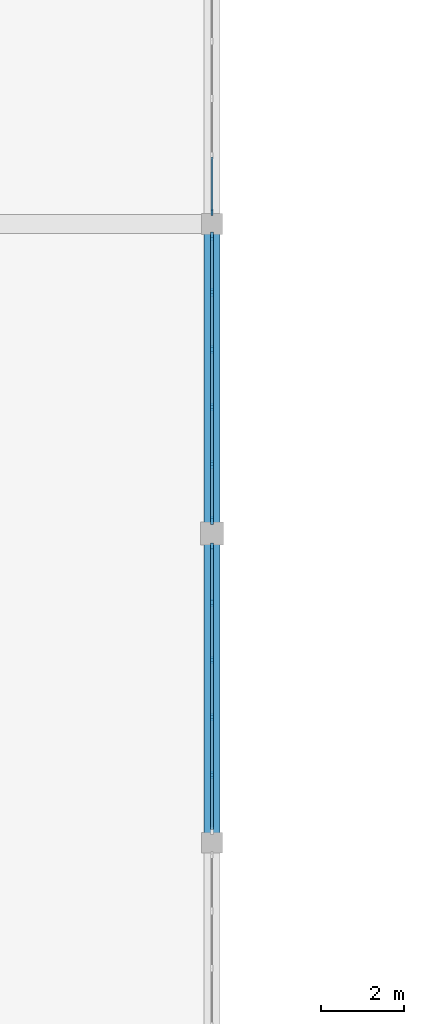
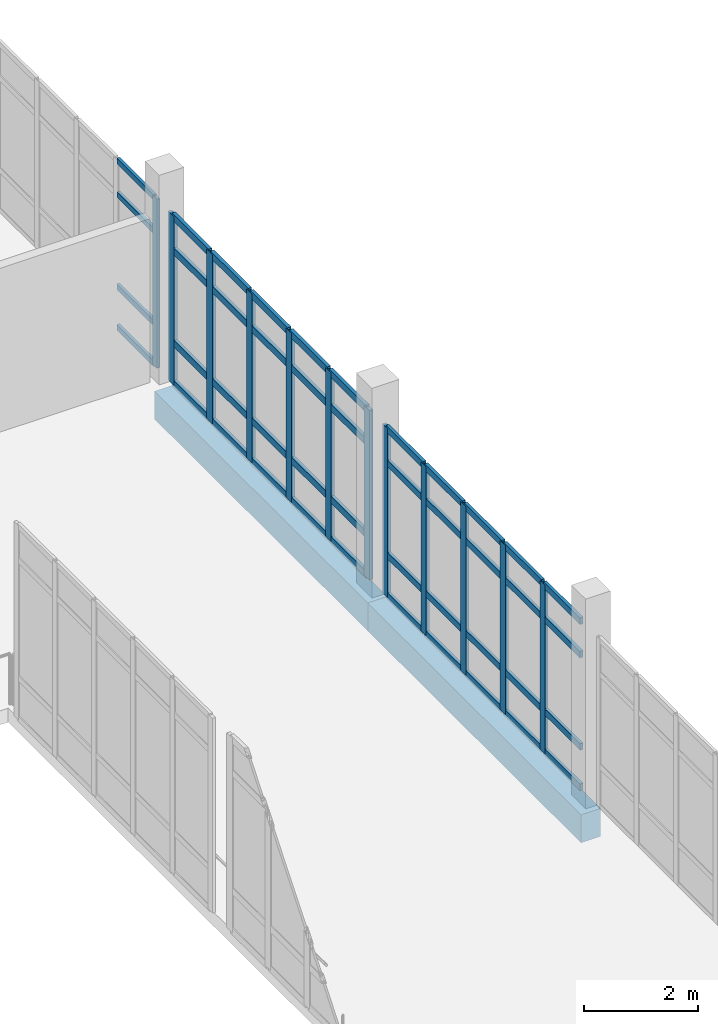
# One storey, part 42 of 128: 56 members, 2 beams, 3 elements without a shape of their own.
"""IFC4 building model written with IfcOpenShell, lengths in metres."""

from ifc_helpers import new_model, si_unit, direction, frame, origin, origin_2d, place, context, subcontext, project, spatial, rectangle, extrude, material, layer, layer_set, material_profile, profile_set, type_object, element, aggregate, save


model = new_model("IFC4")

# Units and contexts
model_context = context("Model", 3, precision=1e-05, world=origin(), true_north=direction((0.0, 1.0)))
body_context = subcontext(model_context, "Body", "Model", "MODEL_VIEW")
ifc_project = project(units=[si_unit("LENGTHUNIT", "METRE"), si_unit("AREAUNIT", "SQUARE_METRE"), si_unit("VOLUMEUNIT", "CUBIC_METRE"), si_unit("PLANEANGLEUNIT", "RADIAN"), si_unit("MASSUNIT", "GRAM", prefix="KILO")], contexts=[model_context])

# Site, building, storey
site_placement = place(None, origin())
site = spatial("IfcSite", under=ifc_project, at=site_placement, CompositionType="ELEMENT")
building_placement = place(site_placement, origin())
building = spatial("IfcBuilding", under=site, at=building_placement, Name="Dalvernix Boulevard General Hospital", CompositionType="ELEMENT")
storey_placement = place(building_placement, frame((0.0, 0.0, 4.800048828125)))
storey = spatial("IfcBuildingStorey", under=building, at=storey_placement, Name="L01", CompositionType="ELEMENT", Elevation=4.800048828125)

# Beams
ifc_material_1 = material(Name="Concrete C35/45", Category="concrete")
ifc_material_profile_1 = material_profile(ifc_material_1, rectangle(XDim=0.39990234375, YDim=0.60009765625, at=origin_2d()), Name="RCB 400x600")
ifc_profile_set_1 = profile_set([ifc_material_profile_1], Name="Concrete C35/45")
beam_type = type_object("IfcBeamType", Name="BM-SB-02-E", PredefinedType="SPANDREL", material=ifc_profile_set_1)
for number, where, z_axis, x_axis, name in (
    (1, (112.5, 46.5, -0.60009765625), (0.0, 1.0, 0.0), (-1.0, 0.0, 0.0), "L01 N-S girder 16:G-H"),
    (2, (112.5, 54.0, -0.60009765625), (0.0, 1.0, 0.0), (-1.0, 0.0, 0.0), "L01 N-S girder 16:H-J"),
):
    element("IfcBeam", number, at=place(storey_placement, frame(where, z_axis=z_axis, x_axis=x_axis)), inside=storey, type_object=beam_type, Name=name, PredefinedType="SPANDREL", context=body_context, shape_type="SweptSolid", body=[
        extrude(rectangle(XDim=0.39990234375, YDim=0.60009765625, at=origin_2d()), origin(), (0.0, 0.0, 1.0), 7.5),
    ])

# Curtain wall, member
ifc_material_2 = material(Name="Thermally broken aluminium and solar-control glass curtain wall", Category="aluminium")
ifc_layer_1 = layer(ifc_material_2, 0.159912109375)
ifc_layer_set_1 = layer_set([ifc_layer_1], Name="Thermally broken aluminium and solar-control glass curtain wall (CW-CW-A-70x36)")
curtain_wall_type_1 = type_object("IfcCurtainWallType", Name="CW-CW-A-70x36", PredefinedType="USERDEFINED", material=ifc_layer_set_1)
curtain_wall_1_placement = place(storey_placement, origin())
curtain_wall_1 = element("IfcCurtainWall", 3, at=curtain_wall_1_placement, inside=storey, type_object=curtain_wall_type_1, Name="L01 curtain wall CW-A-70x36 15-8", ObjectType="GLAZED FACADE", PredefinedType="USERDEFINED")
ifc_material_3 = material(Name="Aluminium EN AW-6060", Category="aluminium")
ifc_material_profile_2 = material_profile(ifc_material_3, rectangle(XDim=0.06005859375, YDim=0.159912109375, at=origin_2d()), Name="ALU MULL 60x160")
ifc_profile_set_2 = profile_set([ifc_material_profile_2], Name="Aluminium EN AW-6060")
member_type_1 = type_object("IfcMemberType", Name="MEM-CW-M1", PredefinedType="MULLION", material=ifc_profile_set_2)
member_1_placement = place(storey_placement, frame((112.5, 61.7900390625, 0.0), z_axis=(0.0, 0.0, 1.0), x_axis=(1.0, 0.0, 0.0)))
member_1 = element("IfcMember", 4, at=member_1_placement, type_object=member_type_1, Name="CW-A-70x36 mullion 6", PredefinedType="MULLION", context=body_context, shape_type="SweptSolid", body=[
    extrude(rectangle(XDim=0.06005859375, YDim=0.159912109375, at=origin_2d()), origin(), (0.0, 0.0, 1.0), 3.6298828125),
])

# Curtain wall, members
ifc_layer_2 = layer(ifc_material_2, 0.179931640625)
ifc_layer_set_2 = layer_set([ifc_layer_2], Name="Thermally broken aluminium and solar-control glass curtain wall (CW-CW-B-70x36)")
curtain_wall_type_2 = type_object("IfcCurtainWallType", Name="CW-CW-B-70x36", PredefinedType="USERDEFINED", material=ifc_layer_set_2)
curtain_wall_2_placement = place(storey_placement, origin())
curtain_wall_2 = element("IfcCurtainWall", 5, at=curtain_wall_2_placement, inside=storey, type_object=curtain_wall_type_2, Name="L01 curtain wall CW-B-70x36 15-6", ObjectType="GLAZED FACADE", PredefinedType="USERDEFINED")
ifc_material_profile_3 = material_profile(ifc_material_3, rectangle(XDim=0.06494140625, YDim=0.179931640625, at=origin_2d()), Name="ALU MULL 65x180")
ifc_profile_set_3 = profile_set([ifc_material_profile_3], Name="Aluminium EN AW-6060")
member_type_2 = type_object("IfcMemberType", Name="MEM-CW-M2", PredefinedType="MULLION", material=ifc_profile_set_3)
member_2_placement = place(storey_placement, frame((112.5, 53.6826171875, 0.0), z_axis=(0.0, 0.0, 1.0), x_axis=(1.0, 0.0, 0.0)))
member_2 = element("IfcMember", 6, at=member_2_placement, type_object=member_type_2, Name="CW-B-70x36 mullion 1", PredefinedType="MULLION", context=body_context, shape_type="SweptSolid", body=[
    extrude(rectangle(XDim=0.06494140625, YDim=0.179931640625, at=origin_2d()), origin(), (0.0, 0.0, 1.0), 3.6298828125),
])
member_3_placement = place(storey_placement, frame((112.5, 52.323974609375, 0.0), z_axis=(0.0, 0.0, 1.0), x_axis=(1.0, 0.0, 0.0)))
member_3 = element("IfcMember", 7, at=member_3_placement, type_object=member_type_2, Name="CW-B-70x36 mullion 2", PredefinedType="MULLION", context=body_context, shape_type="SweptSolid", body=[
    extrude(rectangle(XDim=0.06494140625, YDim=0.179931640625, at=origin_2d()), origin(), (0.0, 0.0, 1.0), 3.6298828125),
])
member_4_placement = place(storey_placement, frame((112.5, 50.93310546875, 0.0), z_axis=(0.0, 0.0, 1.0), x_axis=(1.0, 0.0, 0.0)))
member_4 = element("IfcMember", 8, at=member_4_placement, type_object=member_type_2, Name="CW-B-70x36 mullion 3", PredefinedType="MULLION", context=body_context, shape_type="SweptSolid", body=[
    extrude(rectangle(XDim=0.06494140625, YDim=0.179931640625, at=origin_2d()), origin(), (0.0, 0.0, 1.0), 3.6298828125),
])
member_5_placement = place(storey_placement, frame((112.5, 49.5419921875, 0.0), z_axis=(0.0, 0.0, 1.0), x_axis=(1.0, 0.0, 0.0)))
member_5 = element("IfcMember", 9, at=member_5_placement, type_object=member_type_2, Name="CW-B-70x36 mullion 4", PredefinedType="MULLION", context=body_context, shape_type="SweptSolid", body=[
    extrude(rectangle(XDim=0.06494140625, YDim=0.179931640625, at=origin_2d()), origin(), (0.0, 0.0, 1.0), 3.6298828125),
])
member_6_placement = place(storey_placement, frame((112.5, 48.15087890625, 0.0), z_axis=(0.0, 0.0, 1.0), x_axis=(1.0, 0.0, 0.0)))
member_6 = element("IfcMember", 10, at=member_6_placement, type_object=member_type_2, Name="CW-B-70x36 mullion 5", PredefinedType="MULLION", context=body_context, shape_type="SweptSolid", body=[
    extrude(rectangle(XDim=0.06494140625, YDim=0.179931640625, at=origin_2d()), origin(), (0.0, 0.0, 1.0), 3.6298828125),
])

ifc_layer_3 = layer(ifc_material_2, 0.199951171875)
ifc_layer_set_3 = layer_set([ifc_layer_3], Name="Thermally broken aluminium and solar-control glass curtain wall (CW-CW-C-70x36)")
curtain_wall_type_3 = type_object("IfcCurtainWallType", Name="CW-CW-C-70x36", PredefinedType="USERDEFINED", material=ifc_layer_set_3)
curtain_wall_3_placement = place(storey_placement, origin())
curtain_wall_3 = element("IfcCurtainWall", 11, at=curtain_wall_3_placement, inside=storey, type_object=curtain_wall_type_3, Name="L01 curtain wall CW-C-70x36 15-7", ObjectType="GLAZED FACADE", PredefinedType="USERDEFINED")
ifc_material_profile_4 = material_profile(ifc_material_3, rectangle(XDim=0.070068359375, YDim=0.199951171875, at=origin_2d()), Name="ALU MULL 70x200")
ifc_profile_set_4 = profile_set([ifc_material_profile_4], Name="Aluminium EN AW-6060")
member_type_3 = type_object("IfcMemberType", Name="MEM-CW-M3", PredefinedType="MULLION", material=ifc_profile_set_4)
member_7_placement = place(storey_placement, frame((112.5, 61.205078125, 0.0), z_axis=(0.0, 0.0, 1.0), x_axis=(1.0, 0.0, 0.0)))
member_7 = element("IfcMember", 12, at=member_7_placement, type_object=member_type_3, Name="CW-C-70x36 mullion 1", PredefinedType="MULLION", context=body_context, shape_type="SweptSolid", body=[
    extrude(rectangle(XDim=0.070068359375, YDim=0.199951171875, at=origin_2d()), origin(), (0.0, 0.0, 1.0), 3.6298828125),
])
member_8_placement = place(storey_placement, frame((112.5, 59.84912109375, 0.0), z_axis=(0.0, 0.0, 1.0), x_axis=(1.0, 0.0, 0.0)))
member_8 = element("IfcMember", 13, at=member_8_placement, type_object=member_type_3, Name="CW-C-70x36 mullion 2", PredefinedType="MULLION", context=body_context, shape_type="SweptSolid", body=[
    extrude(rectangle(XDim=0.070068359375, YDim=0.199951171875, at=origin_2d()), origin(), (0.0, 0.0, 1.0), 3.6298828125),
])
member_9_placement = place(storey_placement, frame((112.5, 58.4580078125, 0.0), z_axis=(0.0, 0.0, 1.0), x_axis=(1.0, 0.0, 0.0)))
member_9 = element("IfcMember", 14, at=member_9_placement, type_object=member_type_3, Name="CW-C-70x36 mullion 3", PredefinedType="MULLION", context=body_context, shape_type="SweptSolid", body=[
    extrude(rectangle(XDim=0.070068359375, YDim=0.199951171875, at=origin_2d()), origin(), (0.0, 0.0, 1.0), 3.6298828125),
])
member_10_placement = place(storey_placement, frame((112.5, 57.06689453125, 0.0), z_axis=(0.0, 0.0, 1.0), x_axis=(1.0, 0.0, 0.0)))
member_10 = element("IfcMember", 15, at=member_10_placement, type_object=member_type_3, Name="CW-C-70x36 mullion 4", PredefinedType="MULLION", context=body_context, shape_type="SweptSolid", body=[
    extrude(rectangle(XDim=0.070068359375, YDim=0.199951171875, at=origin_2d()), origin(), (0.0, 0.0, 1.0), 3.6298828125),
])
member_11_placement = place(storey_placement, frame((112.5, 55.676025390625, 0.0), z_axis=(0.0, 0.0, 1.0), x_axis=(1.0, 0.0, 0.0)))
member_11 = element("IfcMember", 16, at=member_11_placement, type_object=member_type_3, Name="CW-C-70x36 mullion 5", PredefinedType="MULLION", context=body_context, shape_type="SweptSolid", body=[
    extrude(rectangle(XDim=0.070068359375, YDim=0.199951171875, at=origin_2d()), origin(), (0.0, 0.0, 1.0), 3.6298828125),
])
member_12_placement = place(storey_placement, frame((112.5, 54.320068359375, 0.0), z_axis=(0.0, 0.0, 1.0), x_axis=(1.0, 0.0, 0.0)))
member_12 = element("IfcMember", 17, at=member_12_placement, type_object=member_type_3, Name="CW-C-70x36 mullion 6", PredefinedType="MULLION", context=body_context, shape_type="SweptSolid", body=[
    extrude(rectangle(XDim=0.070068359375, YDim=0.199951171875, at=origin_2d()), origin(), (0.0, 0.0, 1.0), 3.6298828125),
])

# Member
ifc_material_profile_5 = material_profile(ifc_material_3, rectangle(XDim=0.06005859375, YDim=0.1201171875, at=origin_2d()), Name="ALU TRAN 60x120")
ifc_profile_set_5 = profile_set([ifc_material_profile_5], Name="Aluminium EN AW-6060")
member_type_4 = type_object("IfcMemberType", Name="MEM-CW-T1", PredefinedType="USERDEFINED", material=ifc_profile_set_5)
member_13_placement = place(storey_placement, frame((112.5, 63.12109375, 0.030029296875), z_axis=(0.0, -1.0, 0.0), x_axis=(1.0, 0.0, 0.0)))
member_13 = element("IfcMember", 18, at=member_13_placement, type_object=member_type_4, Name="CW-A-70x36 transom 5.1", ObjectType="TRANSOM", PredefinedType="USERDEFINED", context=body_context, shape_type="SweptSolid", body=[
    extrude(rectangle(XDim=0.06005859375, YDim=0.1201171875, at=origin_2d()), origin(), (0.0, 0.0, 1.0), 1.301025390625),
])

member_14_placement = place(storey_placement, frame((112.5, 63.12109375, 0.89990234375), z_axis=(0.0, -1.0, 0.0), x_axis=(1.0, 0.0, 0.0)))
member_14 = element("IfcMember", 19, at=member_14_placement, type_object=member_type_4, Name="CW-A-70x36 transom 5.2", ObjectType="TRANSOM", PredefinedType="USERDEFINED", context=body_context, shape_type="SweptSolid", body=[
    extrude(rectangle(XDim=0.06005859375, YDim=0.1201171875, at=origin_2d()), origin(), (0.0, 0.0, 1.0), 1.301025390625),
])

member_15_placement = place(storey_placement, frame((112.5, 63.12109375, 2.8798828125), z_axis=(0.0, -1.0, 0.0), x_axis=(1.0, 0.0, 0.0)))
member_15 = element("IfcMember", 20, at=member_15_placement, type_object=member_type_4, Name="CW-A-70x36 transom 5.3", ObjectType="TRANSOM", PredefinedType="USERDEFINED", context=body_context, shape_type="SweptSolid", body=[
    extrude(rectangle(XDim=0.06005859375, YDim=0.1201171875, at=origin_2d()), origin(), (0.0, 0.0, 1.0), 1.301025390625),
])

member_16_placement = place(storey_placement, frame((112.5, 63.12109375, 3.599853515625), z_axis=(0.0, -1.0, 0.0), x_axis=(1.0, 0.0, 0.0)))
member_16 = element("IfcMember", 21, at=member_16_placement, type_object=member_type_4, Name="CW-A-70x36 transom 5.4", ObjectType="TRANSOM", PredefinedType="USERDEFINED", context=body_context, shape_type="SweptSolid", body=[
    extrude(rectangle(XDim=0.06005859375, YDim=0.1201171875, at=origin_2d()), origin(), (0.0, 0.0, 1.0), 1.301025390625),
])

aggregate(curtain_wall_1, [member_1, member_13, member_14, member_15, member_16])

ifc_material_profile_6 = material_profile(ifc_material_3, rectangle(XDim=0.06494140625, YDim=0.139892578125, at=origin_2d()), Name="ALU TRAN 65x140")
ifc_profile_set_6 = profile_set([ifc_material_profile_6], Name="Aluminium EN AW-6060")
member_type_5 = type_object("IfcMemberType", Name="MEM-CW-T2", PredefinedType="USERDEFINED", material=ifc_profile_set_6)
member_17_placement = place(storey_placement, frame((112.5, 53.64990234375, 0.032470703125), z_axis=(0.0, -1.0, 0.0), x_axis=(1.0, 0.0, 0.0)))
member_17 = element("IfcMember", 22, at=member_17_placement, type_object=member_type_5, Name="CW-B-70x36 transom 1.1", ObjectType="TRANSOM", PredefinedType="USERDEFINED", context=body_context, shape_type="SweptSolid", body=[
    extrude(rectangle(XDim=0.06494140625, YDim=0.139892578125, at=origin_2d()), origin(), (0.0, 0.0, 1.0), 1.29345703125),
])

member_18_placement = place(storey_placement, frame((112.5, 53.64990234375, 0.89990234375), z_axis=(0.0, -1.0, 0.0), x_axis=(1.0, 0.0, 0.0)))
member_18 = element("IfcMember", 23, at=member_18_placement, type_object=member_type_5, Name="CW-B-70x36 transom 1.2", ObjectType="TRANSOM", PredefinedType="USERDEFINED", context=body_context, shape_type="SweptSolid", body=[
    extrude(rectangle(XDim=0.06494140625, YDim=0.139892578125, at=origin_2d()), origin(), (0.0, 0.0, 1.0), 1.29345703125),
])

member_19_placement = place(storey_placement, frame((112.5, 53.64990234375, 2.8798828125), z_axis=(0.0, -1.0, 0.0), x_axis=(1.0, 0.0, 0.0)))
member_19 = element("IfcMember", 24, at=member_19_placement, type_object=member_type_5, Name="CW-B-70x36 transom 1.3", ObjectType="TRANSOM", PredefinedType="USERDEFINED", context=body_context, shape_type="SweptSolid", body=[
    extrude(rectangle(XDim=0.06494140625, YDim=0.139892578125, at=origin_2d()), origin(), (0.0, 0.0, 1.0), 1.29345703125),
])

member_20_placement = place(storey_placement, frame((112.5, 53.64990234375, 3.597412109375), z_axis=(0.0, -1.0, 0.0), x_axis=(1.0, 0.0, 0.0)))
member_20 = element("IfcMember", 25, at=member_20_placement, type_object=member_type_5, Name="CW-B-70x36 transom 1.4", ObjectType="TRANSOM", PredefinedType="USERDEFINED", context=body_context, shape_type="SweptSolid", body=[
    extrude(rectangle(XDim=0.06494140625, YDim=0.139892578125, at=origin_2d()), origin(), (0.0, 0.0, 1.0), 1.29345703125),
])

member_21_placement = place(storey_placement, frame((112.5, 52.29150390625, 0.032470703125), z_axis=(0.0, -1.0, 0.0), x_axis=(1.0, 0.0, 0.0)))
member_21 = element("IfcMember", 26, at=member_21_placement, type_object=member_type_5, Name="CW-B-70x36 transom 2.1", ObjectType="TRANSOM", PredefinedType="USERDEFINED", context=body_context, shape_type="SweptSolid", body=[
    extrude(rectangle(XDim=0.06494140625, YDim=0.139892578125, at=origin_2d()), origin(), (0.0, 0.0, 1.0), 1.325927734375),
])

member_22_placement = place(storey_placement, frame((112.5, 52.29150390625, 0.89990234375), z_axis=(0.0, -1.0, 0.0), x_axis=(1.0, 0.0, 0.0)))
member_22 = element("IfcMember", 27, at=member_22_placement, type_object=member_type_5, Name="CW-B-70x36 transom 2.2", ObjectType="TRANSOM", PredefinedType="USERDEFINED", context=body_context, shape_type="SweptSolid", body=[
    extrude(rectangle(XDim=0.06494140625, YDim=0.139892578125, at=origin_2d()), origin(), (0.0, 0.0, 1.0), 1.325927734375),
])

member_23_placement = place(storey_placement, frame((112.5, 52.29150390625, 2.8798828125), z_axis=(0.0, -1.0, 0.0), x_axis=(1.0, 0.0, 0.0)))
member_23 = element("IfcMember", 28, at=member_23_placement, type_object=member_type_5, Name="CW-B-70x36 transom 2.3", ObjectType="TRANSOM", PredefinedType="USERDEFINED", context=body_context, shape_type="SweptSolid", body=[
    extrude(rectangle(XDim=0.06494140625, YDim=0.139892578125, at=origin_2d()), origin(), (0.0, 0.0, 1.0), 1.325927734375),
])

member_24_placement = place(storey_placement, frame((112.5, 52.29150390625, 3.597412109375), z_axis=(0.0, -1.0, 0.0), x_axis=(1.0, 0.0, 0.0)))
member_24 = element("IfcMember", 29, at=member_24_placement, type_object=member_type_5, Name="CW-B-70x36 transom 2.4", ObjectType="TRANSOM", PredefinedType="USERDEFINED", context=body_context, shape_type="SweptSolid", body=[
    extrude(rectangle(XDim=0.06494140625, YDim=0.139892578125, at=origin_2d()), origin(), (0.0, 0.0, 1.0), 1.325927734375),
])

member_25_placement = place(storey_placement, frame((112.5, 50.900390625, 0.032470703125), z_axis=(0.0, -1.0, 0.0), x_axis=(1.0, 0.0, 0.0)))
member_25 = element("IfcMember", 30, at=member_25_placement, type_object=member_type_5, Name="CW-B-70x36 transom 3.1", ObjectType="TRANSOM", PredefinedType="USERDEFINED", context=body_context, shape_type="SweptSolid", body=[
    extrude(rectangle(XDim=0.06494140625, YDim=0.139892578125, at=origin_2d()), origin(), (0.0, 0.0, 1.0), 1.325927734375),
])

member_26_placement = place(storey_placement, frame((112.5, 50.900390625, 0.89990234375), z_axis=(0.0, -1.0, 0.0), x_axis=(1.0, 0.0, 0.0)))
member_26 = element("IfcMember", 31, at=member_26_placement, type_object=member_type_5, Name="CW-B-70x36 transom 3.2", ObjectType="TRANSOM", PredefinedType="USERDEFINED", context=body_context, shape_type="SweptSolid", body=[
    extrude(rectangle(XDim=0.06494140625, YDim=0.139892578125, at=origin_2d()), origin(), (0.0, 0.0, 1.0), 1.325927734375),
])

member_27_placement = place(storey_placement, frame((112.5, 50.900390625, 2.8798828125), z_axis=(0.0, -1.0, 0.0), x_axis=(1.0, 0.0, 0.0)))
member_27 = element("IfcMember", 32, at=member_27_placement, type_object=member_type_5, Name="CW-B-70x36 transom 3.3", ObjectType="TRANSOM", PredefinedType="USERDEFINED", context=body_context, shape_type="SweptSolid", body=[
    extrude(rectangle(XDim=0.06494140625, YDim=0.139892578125, at=origin_2d()), origin(), (0.0, 0.0, 1.0), 1.325927734375),
])

member_28_placement = place(storey_placement, frame((112.5, 50.900390625, 3.597412109375), z_axis=(0.0, -1.0, 0.0), x_axis=(1.0, 0.0, 0.0)))
member_28 = element("IfcMember", 33, at=member_28_placement, type_object=member_type_5, Name="CW-B-70x36 transom 3.4", ObjectType="TRANSOM", PredefinedType="USERDEFINED", context=body_context, shape_type="SweptSolid", body=[
    extrude(rectangle(XDim=0.06494140625, YDim=0.139892578125, at=origin_2d()), origin(), (0.0, 0.0, 1.0), 1.325927734375),
])

member_29_placement = place(storey_placement, frame((112.5, 49.509521484375, 0.032470703125), z_axis=(0.0, -1.0, 0.0), x_axis=(1.0, 0.0, 0.0)))
member_29 = element("IfcMember", 34, at=member_29_placement, type_object=member_type_5, Name="CW-B-70x36 transom 4.1", ObjectType="TRANSOM", PredefinedType="USERDEFINED", context=body_context, shape_type="SweptSolid", body=[
    extrude(rectangle(XDim=0.06494140625, YDim=0.139892578125, at=origin_2d()), origin(), (0.0, 0.0, 1.0), 1.325927734375),
])

member_30_placement = place(storey_placement, frame((112.5, 49.509521484375, 0.89990234375), z_axis=(0.0, -1.0, 0.0), x_axis=(1.0, 0.0, 0.0)))
member_30 = element("IfcMember", 35, at=member_30_placement, type_object=member_type_5, Name="CW-B-70x36 transom 4.2", ObjectType="TRANSOM", PredefinedType="USERDEFINED", context=body_context, shape_type="SweptSolid", body=[
    extrude(rectangle(XDim=0.06494140625, YDim=0.139892578125, at=origin_2d()), origin(), (0.0, 0.0, 1.0), 1.325927734375),
])

member_31_placement = place(storey_placement, frame((112.5, 49.509521484375, 2.8798828125), z_axis=(0.0, -1.0, 0.0), x_axis=(1.0, 0.0, 0.0)))
member_31 = element("IfcMember", 36, at=member_31_placement, type_object=member_type_5, Name="CW-B-70x36 transom 4.3", ObjectType="TRANSOM", PredefinedType="USERDEFINED", context=body_context, shape_type="SweptSolid", body=[
    extrude(rectangle(XDim=0.06494140625, YDim=0.139892578125, at=origin_2d()), origin(), (0.0, 0.0, 1.0), 1.325927734375),
])

member_32_placement = place(storey_placement, frame((112.5, 49.509521484375, 3.597412109375), z_axis=(0.0, -1.0, 0.0), x_axis=(1.0, 0.0, 0.0)))
member_32 = element("IfcMember", 37, at=member_32_placement, type_object=member_type_5, Name="CW-B-70x36 transom 4.4", ObjectType="TRANSOM", PredefinedType="USERDEFINED", context=body_context, shape_type="SweptSolid", body=[
    extrude(rectangle(XDim=0.06494140625, YDim=0.139892578125, at=origin_2d()), origin(), (0.0, 0.0, 1.0), 1.325927734375),
])

member_33_placement = place(storey_placement, frame((112.5, 48.118408203125, 0.032470703125), z_axis=(0.0, -1.0, 0.0), x_axis=(1.0, 0.0, 0.0)))
member_33 = element("IfcMember", 38, at=member_33_placement, type_object=member_type_5, Name="CW-B-70x36 transom 5.1", ObjectType="TRANSOM", PredefinedType="USERDEFINED", context=body_context, shape_type="SweptSolid", body=[
    extrude(rectangle(XDim=0.06494140625, YDim=0.139892578125, at=origin_2d()), origin(), (0.0, 0.0, 1.0), 1.29345703125),
])

member_34_placement = place(storey_placement, frame((112.5, 48.118408203125, 0.89990234375), z_axis=(0.0, -1.0, 0.0), x_axis=(1.0, 0.0, 0.0)))
member_34 = element("IfcMember", 39, at=member_34_placement, type_object=member_type_5, Name="CW-B-70x36 transom 5.2", ObjectType="TRANSOM", PredefinedType="USERDEFINED", context=body_context, shape_type="SweptSolid", body=[
    extrude(rectangle(XDim=0.06494140625, YDim=0.139892578125, at=origin_2d()), origin(), (0.0, 0.0, 1.0), 1.29345703125),
])

member_35_placement = place(storey_placement, frame((112.5, 48.118408203125, 2.8798828125), z_axis=(0.0, -1.0, 0.0), x_axis=(1.0, 0.0, 0.0)))
member_35 = element("IfcMember", 40, at=member_35_placement, type_object=member_type_5, Name="CW-B-70x36 transom 5.3", ObjectType="TRANSOM", PredefinedType="USERDEFINED", context=body_context, shape_type="SweptSolid", body=[
    extrude(rectangle(XDim=0.06494140625, YDim=0.139892578125, at=origin_2d()), origin(), (0.0, 0.0, 1.0), 1.29345703125),
])

member_36_placement = place(storey_placement, frame((112.5, 48.118408203125, 3.597412109375), z_axis=(0.0, -1.0, 0.0), x_axis=(1.0, 0.0, 0.0)))
member_36 = element("IfcMember", 41, at=member_36_placement, type_object=member_type_5, Name="CW-B-70x36 transom 5.4", ObjectType="TRANSOM", PredefinedType="USERDEFINED", context=body_context, shape_type="SweptSolid", body=[
    extrude(rectangle(XDim=0.06494140625, YDim=0.139892578125, at=origin_2d()), origin(), (0.0, 0.0, 1.0), 1.29345703125),
])

aggregate(curtain_wall_2, [member_2, member_3, member_4, member_5, member_6, member_17, member_18, member_19, member_20, member_21, member_22, member_23, member_24, member_25, member_26, member_27, member_28, member_29, member_30, member_31, member_32, member_33, member_34, member_35, member_36])

ifc_material_profile_7 = material_profile(ifc_material_3, rectangle(XDim=0.070068359375, YDim=0.14990234375, at=origin_2d()), Name="ALU TRAN 70x150")
ifc_profile_set_7 = profile_set([ifc_material_profile_7], Name="Aluminium EN AW-6060")
member_type_6 = type_object("IfcMemberType", Name="MEM-CW-T3", PredefinedType="USERDEFINED", material=ifc_profile_set_7)
member_37_placement = place(storey_placement, frame((112.5, 61.169921875, 0.034912109375), z_axis=(0.0, -1.0, 0.0), x_axis=(1.0, 0.0, 0.0)))
member_37 = element("IfcMember", 42, at=member_37_placement, type_object=member_type_6, Name="CW-C-70x36 transom 1.1", ObjectType="TRANSOM", PredefinedType="USERDEFINED", context=body_context, shape_type="SweptSolid", body=[
    extrude(rectangle(XDim=0.070068359375, YDim=0.14990234375, at=origin_2d()), origin(), (0.0, 0.0, 1.0), 1.285888671875),
])

member_38_placement = place(storey_placement, frame((112.5, 61.169921875, 0.89990234375), z_axis=(0.0, -1.0, 0.0), x_axis=(1.0, 0.0, 0.0)))
member_38 = element("IfcMember", 43, at=member_38_placement, type_object=member_type_6, Name="CW-C-70x36 transom 1.2", ObjectType="TRANSOM", PredefinedType="USERDEFINED", context=body_context, shape_type="SweptSolid", body=[
    extrude(rectangle(XDim=0.070068359375, YDim=0.14990234375, at=origin_2d()), origin(), (0.0, 0.0, 1.0), 1.285888671875),
])

member_39_placement = place(storey_placement, frame((112.5, 61.169921875, 2.8798828125), z_axis=(0.0, -1.0, 0.0), x_axis=(1.0, 0.0, 0.0)))
member_39 = element("IfcMember", 44, at=member_39_placement, type_object=member_type_6, Name="CW-C-70x36 transom 1.3", ObjectType="TRANSOM", PredefinedType="USERDEFINED", context=body_context, shape_type="SweptSolid", body=[
    extrude(rectangle(XDim=0.070068359375, YDim=0.14990234375, at=origin_2d()), origin(), (0.0, 0.0, 1.0), 1.285888671875),
])

member_40_placement = place(storey_placement, frame((112.5, 61.169921875, 3.594970703125), z_axis=(0.0, -1.0, 0.0), x_axis=(1.0, 0.0, 0.0)))
member_40 = element("IfcMember", 45, at=member_40_placement, type_object=member_type_6, Name="CW-C-70x36 transom 1.4", ObjectType="TRANSOM", PredefinedType="USERDEFINED", context=body_context, shape_type="SweptSolid", body=[
    extrude(rectangle(XDim=0.070068359375, YDim=0.14990234375, at=origin_2d()), origin(), (0.0, 0.0, 1.0), 1.285888671875),
])

member_41_placement = place(storey_placement, frame((112.5, 59.81396484375, 0.034912109375), z_axis=(0.0, -1.0, 0.0), x_axis=(1.0, 0.0, 0.0)))
member_41 = element("IfcMember", 46, at=member_41_placement, type_object=member_type_6, Name="CW-C-70x36 transom 2.1", ObjectType="TRANSOM", PredefinedType="USERDEFINED", context=body_context, shape_type="SweptSolid", body=[
    extrude(rectangle(XDim=0.070068359375, YDim=0.14990234375, at=origin_2d()), origin(), (0.0, 0.0, 1.0), 1.321044921875),
])

member_42_placement = place(storey_placement, frame((112.5, 59.81396484375, 0.89990234375), z_axis=(0.0, -1.0, 0.0), x_axis=(1.0, 0.0, 0.0)))
member_42 = element("IfcMember", 47, at=member_42_placement, type_object=member_type_6, Name="CW-C-70x36 transom 2.2", ObjectType="TRANSOM", PredefinedType="USERDEFINED", context=body_context, shape_type="SweptSolid", body=[
    extrude(rectangle(XDim=0.070068359375, YDim=0.14990234375, at=origin_2d()), origin(), (0.0, 0.0, 1.0), 1.321044921875),
])

member_43_placement = place(storey_placement, frame((112.5, 59.81396484375, 2.8798828125), z_axis=(0.0, -1.0, 0.0), x_axis=(1.0, 0.0, 0.0)))
member_43 = element("IfcMember", 48, at=member_43_placement, type_object=member_type_6, Name="CW-C-70x36 transom 2.3", ObjectType="TRANSOM", PredefinedType="USERDEFINED", context=body_context, shape_type="SweptSolid", body=[
    extrude(rectangle(XDim=0.070068359375, YDim=0.14990234375, at=origin_2d()), origin(), (0.0, 0.0, 1.0), 1.321044921875),
])

member_44_placement = place(storey_placement, frame((112.5, 59.81396484375, 3.594970703125), z_axis=(0.0, -1.0, 0.0), x_axis=(1.0, 0.0, 0.0)))
member_44 = element("IfcMember", 49, at=member_44_placement, type_object=member_type_6, Name="CW-C-70x36 transom 2.4", ObjectType="TRANSOM", PredefinedType="USERDEFINED", context=body_context, shape_type="SweptSolid", body=[
    extrude(rectangle(XDim=0.070068359375, YDim=0.14990234375, at=origin_2d()), origin(), (0.0, 0.0, 1.0), 1.321044921875),
])

member_45_placement = place(storey_placement, frame((112.5, 58.423095703125, 0.034912109375), z_axis=(0.0, -1.0, 0.0), x_axis=(1.0, 0.0, 0.0)))
member_45 = element("IfcMember", 50, at=member_45_placement, type_object=member_type_6, Name="CW-C-70x36 transom 3.1", ObjectType="TRANSOM", PredefinedType="USERDEFINED", context=body_context, shape_type="SweptSolid", body=[
    extrude(rectangle(XDim=0.070068359375, YDim=0.14990234375, at=origin_2d()), origin(), (0.0, 0.0, 1.0), 1.321044921875),
])

member_46_placement = place(storey_placement, frame((112.5, 58.423095703125, 0.89990234375), z_axis=(0.0, -1.0, 0.0), x_axis=(1.0, 0.0, 0.0)))
member_46 = element("IfcMember", 51, at=member_46_placement, type_object=member_type_6, Name="CW-C-70x36 transom 3.2", ObjectType="TRANSOM", PredefinedType="USERDEFINED", context=body_context, shape_type="SweptSolid", body=[
    extrude(rectangle(XDim=0.070068359375, YDim=0.14990234375, at=origin_2d()), origin(), (0.0, 0.0, 1.0), 1.321044921875),
])

member_47_placement = place(storey_placement, frame((112.5, 58.423095703125, 2.8798828125), z_axis=(0.0, -1.0, 0.0), x_axis=(1.0, 0.0, 0.0)))
member_47 = element("IfcMember", 52, at=member_47_placement, type_object=member_type_6, Name="CW-C-70x36 transom 3.3", ObjectType="TRANSOM", PredefinedType="USERDEFINED", context=body_context, shape_type="SweptSolid", body=[
    extrude(rectangle(XDim=0.070068359375, YDim=0.14990234375, at=origin_2d()), origin(), (0.0, 0.0, 1.0), 1.321044921875),
])

member_48_placement = place(storey_placement, frame((112.5, 58.423095703125, 3.594970703125), z_axis=(0.0, -1.0, 0.0), x_axis=(1.0, 0.0, 0.0)))
member_48 = element("IfcMember", 53, at=member_48_placement, type_object=member_type_6, Name="CW-C-70x36 transom 3.4", ObjectType="TRANSOM", PredefinedType="USERDEFINED", context=body_context, shape_type="SweptSolid", body=[
    extrude(rectangle(XDim=0.070068359375, YDim=0.14990234375, at=origin_2d()), origin(), (0.0, 0.0, 1.0), 1.321044921875),
])

member_49_placement = place(storey_placement, frame((112.5, 57.031982421875, 0.034912109375), z_axis=(0.0, -1.0, 0.0), x_axis=(1.0, 0.0, 0.0)))
member_49 = element("IfcMember", 54, at=member_49_placement, type_object=member_type_6, Name="CW-C-70x36 transom 4.1", ObjectType="TRANSOM", PredefinedType="USERDEFINED", context=body_context, shape_type="SweptSolid", body=[
    extrude(rectangle(XDim=0.070068359375, YDim=0.14990234375, at=origin_2d()), origin(), (0.0, 0.0, 1.0), 1.321044921875),
])

member_50_placement = place(storey_placement, frame((112.5, 57.031982421875, 0.89990234375), z_axis=(0.0, -1.0, 0.0), x_axis=(1.0, 0.0, 0.0)))
member_50 = element("IfcMember", 55, at=member_50_placement, type_object=member_type_6, Name="CW-C-70x36 transom 4.2", ObjectType="TRANSOM", PredefinedType="USERDEFINED", context=body_context, shape_type="SweptSolid", body=[
    extrude(rectangle(XDim=0.070068359375, YDim=0.14990234375, at=origin_2d()), origin(), (0.0, 0.0, 1.0), 1.321044921875),
])

member_51_placement = place(storey_placement, frame((112.5, 57.031982421875, 2.8798828125), z_axis=(0.0, -1.0, 0.0), x_axis=(1.0, 0.0, 0.0)))
member_51 = element("IfcMember", 56, at=member_51_placement, type_object=member_type_6, Name="CW-C-70x36 transom 4.3", ObjectType="TRANSOM", PredefinedType="USERDEFINED", context=body_context, shape_type="SweptSolid", body=[
    extrude(rectangle(XDim=0.070068359375, YDim=0.14990234375, at=origin_2d()), origin(), (0.0, 0.0, 1.0), 1.321044921875),
])

member_52_placement = place(storey_placement, frame((112.5, 57.031982421875, 3.594970703125), z_axis=(0.0, -1.0, 0.0), x_axis=(1.0, 0.0, 0.0)))
member_52 = element("IfcMember", 57, at=member_52_placement, type_object=member_type_6, Name="CW-C-70x36 transom 4.4", ObjectType="TRANSOM", PredefinedType="USERDEFINED", context=body_context, shape_type="SweptSolid", body=[
    extrude(rectangle(XDim=0.070068359375, YDim=0.14990234375, at=origin_2d()), origin(), (0.0, 0.0, 1.0), 1.321044921875),
])

member_53_placement = place(storey_placement, frame((112.5, 55.64111328125, 0.034912109375), z_axis=(0.0, -1.0, 0.0), x_axis=(1.0, 0.0, 0.0)))
member_53 = element("IfcMember", 58, at=member_53_placement, type_object=member_type_6, Name="CW-C-70x36 transom 5.1", ObjectType="TRANSOM", PredefinedType="USERDEFINED", context=body_context, shape_type="SweptSolid", body=[
    extrude(rectangle(XDim=0.070068359375, YDim=0.14990234375, at=origin_2d()), origin(), (0.0, 0.0, 1.0), 1.2861328125),
])

member_54_placement = place(storey_placement, frame((112.5, 55.64111328125, 0.89990234375), z_axis=(0.0, -1.0, 0.0), x_axis=(1.0, 0.0, 0.0)))
member_54 = element("IfcMember", 59, at=member_54_placement, type_object=member_type_6, Name="CW-C-70x36 transom 5.2", ObjectType="TRANSOM", PredefinedType="USERDEFINED", context=body_context, shape_type="SweptSolid", body=[
    extrude(rectangle(XDim=0.070068359375, YDim=0.14990234375, at=origin_2d()), origin(), (0.0, 0.0, 1.0), 1.2861328125),
])

member_55_placement = place(storey_placement, frame((112.5, 55.64111328125, 2.8798828125), z_axis=(0.0, -1.0, 0.0), x_axis=(1.0, 0.0, 0.0)))
member_55 = element("IfcMember", 60, at=member_55_placement, type_object=member_type_6, Name="CW-C-70x36 transom 5.3", ObjectType="TRANSOM", PredefinedType="USERDEFINED", context=body_context, shape_type="SweptSolid", body=[
    extrude(rectangle(XDim=0.070068359375, YDim=0.14990234375, at=origin_2d()), origin(), (0.0, 0.0, 1.0), 1.2861328125),
])

member_56_placement = place(storey_placement, frame((112.5, 55.64111328125, 3.594970703125), z_axis=(0.0, -1.0, 0.0), x_axis=(1.0, 0.0, 0.0)))
member_56 = element("IfcMember", 61, at=member_56_placement, type_object=member_type_6, Name="CW-C-70x36 transom 5.4", ObjectType="TRANSOM", PredefinedType="USERDEFINED", context=body_context, shape_type="SweptSolid", body=[
    extrude(rectangle(XDim=0.070068359375, YDim=0.14990234375, at=origin_2d()), origin(), (0.0, 0.0, 1.0), 1.2861328125),
])

aggregate(curtain_wall_3, [member_7, member_8, member_9, member_10, member_11, member_12, member_37, member_38, member_39, member_40, member_41, member_42, member_43, member_44, member_45, member_46, member_47, member_48, member_49, member_50, member_51, member_52, member_53, member_54, member_55, member_56])

save(model, "model.ifc")
